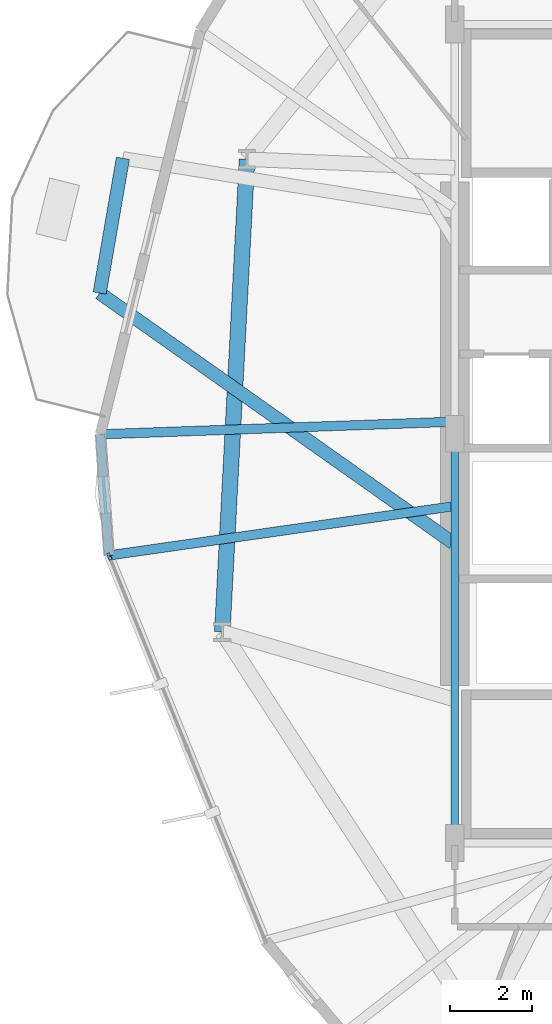
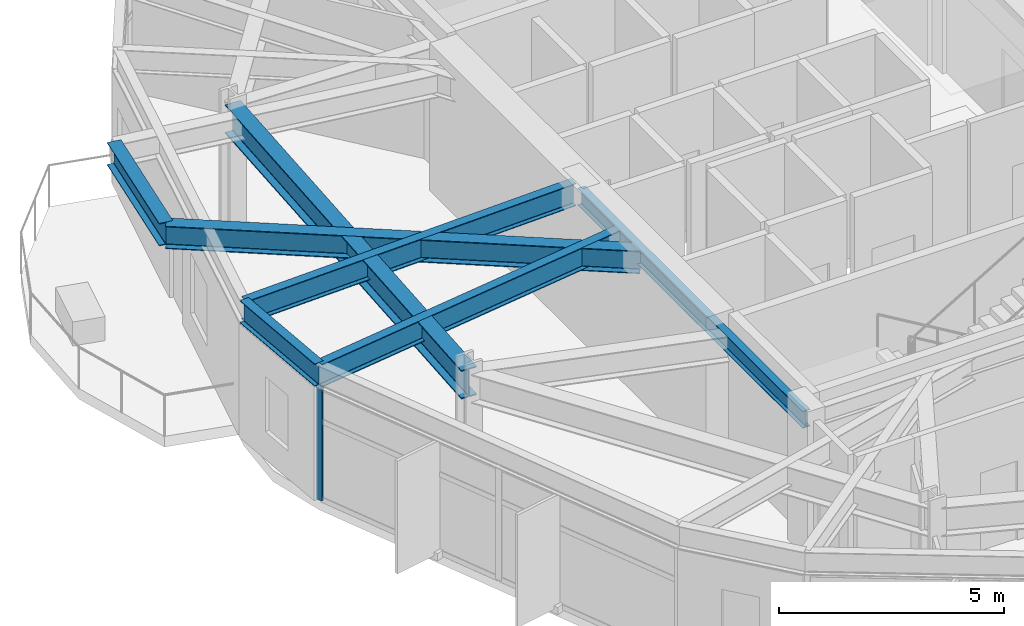
# One storey, part 7 of 22: 7 beams, 1 member, 1 element without a shape of its own.
"""IFC4 building model written with IfcOpenShell, lengths in metres."""

from ifc_helpers import new_model, si_unit, direction, frame, origin, origin_2d, place, context, subcontext, project, spatial, hollow_rectangle, i_section, extrude, material, layer, layer_set, material_profile, profile_set, type_object, element, aggregate, save


model = new_model("IFC4")

# Units and contexts
model_context = context("Model", 3, precision=1e-05, world=origin(), true_north=direction((0.0, 1.0)))
body_context = subcontext(model_context, "Body", "Model", "MODEL_VIEW")
ifc_project = project(units=[si_unit("LENGTHUNIT", "METRE"), si_unit("AREAUNIT", "SQUARE_METRE"), si_unit("VOLUMEUNIT", "CUBIC_METRE"), si_unit("PLANEANGLEUNIT", "RADIAN"), si_unit("MASSUNIT", "GRAM", prefix="KILO")], contexts=[model_context])

# Site, building, storey
site_placement = place(None, origin())
site = spatial("IfcSite", under=ifc_project, at=site_placement, CompositionType="ELEMENT")
building_placement = place(site_placement, origin())
building = spatial("IfcBuilding", under=site, at=building_placement, Name="Soratama Intermodal Tower", CompositionType="ELEMENT")
storey_placement = place(building_placement, frame((0.0, 0.0, 42.60009765625)))
storey = spatial("IfcBuildingStorey", under=building, at=storey_placement, Name="L09", CompositionType="ELEMENT", Elevation=42.60009765625)

# Beams
ifc_material_1 = material(Name="Structural steel ASTM A992 Grade 50", Category="steel")
ifc_material_profile_1 = material_profile(ifc_material_1, i_section(OverallWidth=0.324951171875, OverallDepth=0.615966796875, WebThickness=0.013916015625, FlangeThickness=0.021484375, FilletRadius=0.013916015625, at=origin_2d()), Name="W24X117")
ifc_profile_set_1 = profile_set([ifc_material_profile_1], Name="Structural steel ASTM A992 Grade 50")
beam_type_1 = type_object("IfcBeamType", Name="BM-CANT-W24X117", PredefinedType="BEAM", material=ifc_profile_set_1)
beam_1_placement = place(storey_placement, frame((24.489013671875, 31.73193359375, 3.391845703125), z_axis=(-0.169914252088, -0.985458850961, 0.0), x_axis=(0.985458850961, -0.169914252088, 0.0)))
element("IfcBeam", 1, at=beam_1_placement, inside=storey, type_object=beam_type_1, Name="BM-L09-CBHDR-3", PredefinedType="BEAM", context=body_context, shape_type="SweptSolid", body=[
    extrude(i_section(OverallWidth=0.324951171875, OverallDepth=0.615966796875, WebThickness=0.013916015625, FlangeThickness=0.021484375, FilletRadius=0.013916015625, at=origin_2d()), origin(), (0.0, 0.0, 1.0), 3.343505859375),
])
beam_2_placement = place(storey_placement, frame((32.56689453125, 22.323974609375, 3.391845703125), z_axis=(-0.816523530124, 0.577312155384, 0.0), x_axis=(-0.577312155384, -0.816523530124, 0.0)))
element("IfcBeam", 2, at=beam_2_placement, inside=storey, type_object=beam_type_1, Name="BM-L09-CANT-3-2", PredefinedType="BEAM", context=body_context, shape_type="SweptSolid", body=[
    extrude(i_section(OverallWidth=0.324951171875, OverallDepth=0.615966796875, WebThickness=0.013916015625, FlangeThickness=0.021484375, FilletRadius=0.013916015625, at=origin_2d()), origin(), (0.0, 0.0, 1.0), 10.5888671875),
])
ifc_material_2 = material(Name="Structural steel ASTM A992 Grade 50", Category="steel")
ifc_material_profile_2 = material_profile(ifc_material_2, i_section(OverallWidth=0.19091796875, OverallDepth=0.4599609375, WebThickness=0.010009765625, FlangeThickness=0.01611328125, FilletRadius=0.010986328125, at=origin_2d()), Name="W18X55")
ifc_profile_set_2 = profile_set([ifc_material_profile_2], Name="Structural steel ASTM A992 Grade 50")
beam_type_2 = type_object("IfcBeamType", Name="BM-FLR-W18X55", PredefinedType="BEAM", material=ifc_profile_set_2)
beam_3_placement = place(storey_placement, frame((32.60009765625, 25.0, 3.469970703125), z_axis=(0.0, -1.0, 0.0), x_axis=(1.0, 0.0, 0.0)))
element("IfcBeam", 3, at=beam_3_placement, inside=storey, type_object=beam_type_2, Name="BM-L09-CRING-09", PredefinedType="BEAM", context=body_context, shape_type="SweptSolid", body=[
    extrude(i_section(OverallWidth=0.19091796875, OverallDepth=0.4599609375, WebThickness=0.010009765625, FlangeThickness=0.01611328125, FilletRadius=0.010986328125, at=origin_2d()), origin(), (0.0, 0.0, 1.0), 10.0),
])
ifc_material_3 = material(Name="Structural steel ASTM A992 Grade 50", Category="steel")
ifc_material_profile_3 = material_profile(ifc_material_3, i_section(OverallWidth=0.382080078125, OverallDepth=0.779052734375, WebThickness=0.01806640625, FlangeThickness=0.030029296875, FilletRadius=0.01806640625, at=origin_2d()), Name="W30X191")
ifc_profile_set_3 = profile_set([ifc_material_profile_3], Name="Structural steel ASTM A992 Grade 50")
beam_type_3 = type_object("IfcBeamType", Name="BM-RING-W30X191", PredefinedType="BEAM", material=ifc_profile_set_3)
beam_4_placement = place(storey_placement, frame((27.52294921875, 31.708984375, 3.310302734375), z_axis=(-0.052289698717, -0.998631957935, 0.0), x_axis=(0.998631957935, -0.052289698717, 0.0)))
element("IfcBeam", 4, at=beam_4_placement, inside=storey, type_object=beam_type_3, Name="BM-L09-RING-05", PredefinedType="BEAM", context=body_context, shape_type="SweptSolid", body=[
    extrude(i_section(OverallWidth=0.382080078125, OverallDepth=0.779052734375, WebThickness=0.01806640625, FlangeThickness=0.030029296875, FilletRadius=0.01806640625, at=origin_2d()), origin(), (0.0, 0.0, 1.0), 11.56982421875),
])
ifc_material_4 = material(Name="Structural steel ASTM A992 Grade 50", Category="steel")
ifc_material_profile_4 = material_profile(ifc_material_4, i_section(OverallWidth=0.22900390625, OverallDepth=0.612060546875, WebThickness=0.011962890625, FlangeThickness=0.01953125, FilletRadius=0.012939453125, at=origin_2d()), Name="W24X84")
ifc_profile_set_4 = profile_set([ifc_material_profile_4], Name="Structural steel ASTM A992 Grade 50")
beam_type_4 = type_object("IfcBeamType", Name="BM-SPN-W24X84", PredefinedType="SPANDREL", material=ifc_profile_set_4)
beam_5_placement = place(storey_placement, frame((23.93505859375, 24.985107421875, 3.393798828125), z_axis=(0.071077506589, -0.997470795591, 0.0), x_axis=(0.997470795591, 0.071077506589, 0.0)))
element("IfcBeam", 5, at=beam_5_placement, inside=storey, type_object=beam_type_4, Name="BS-L09-CRN05", PredefinedType="SPANDREL", context=body_context, shape_type="SweptSolid", body=[
    extrude(i_section(OverallWidth=0.22900390625, OverallDepth=0.612060546875, WebThickness=0.011962890625, FlangeThickness=0.01953125, FilletRadius=0.012939453125, at=origin_2d()), origin(), (0.0, 0.0, 1.0), 2.9677734375),
])
ifc_material_5 = material(Name="Structural steel ASTM A992 Grade 50", Category="steel")
ifc_material_profile_5 = material_profile(ifc_material_5, i_section(OverallWidth=0.22900390625, OverallDepth=0.612060546875, WebThickness=0.011962890625, FlangeThickness=0.01953125, FilletRadius=0.012939453125, at=origin_2d()), Name="W24X84")
ifc_profile_set_5 = profile_set([ifc_material_profile_5], Name="Structural steel ASTM A992 Grade 50")
beam_type_5 = type_object("IfcBeamType", Name="BM-TIE-W24X84", PredefinedType="BEAM", material=ifc_profile_set_5)
beam_6_placement = place(storey_placement, frame((32.56005859375, 25.2919921875, 3.393798828125), z_axis=(-0.999367602224, -0.035558341146, 0.0), x_axis=(0.035558341146, -0.999367602224, 0.0)))
element("IfcBeam", 6, at=beam_6_placement, inside=storey, type_object=beam_type_5, Name="BM-L09-TIE1-05", PredefinedType="BEAM", context=body_context, shape_type="SweptSolid", body=[
    extrude(i_section(OverallWidth=0.22900390625, OverallDepth=0.612060546875, WebThickness=0.011962890625, FlangeThickness=0.01953125, FilletRadius=0.012939453125, at=origin_2d()), origin(), (0.0, 0.0, 1.0), 8.63037109375),
])
beam_7_placement = place(storey_placement, frame((32.56005859375, 23.22607421875, 3.393798828125), z_axis=(-0.989963276746, -0.14132484104, 0.0), x_axis=(0.14132484104, -0.989963276746, 0.0)))
element("IfcBeam", 7, at=beam_7_placement, inside=storey, type_object=beam_type_5, Name="BM-L09-TIE0-06", PredefinedType="BEAM", context=body_context, shape_type="SweptSolid", body=[
    extrude(i_section(OverallWidth=0.22900390625, OverallDepth=0.612060546875, WebThickness=0.011962890625, FlangeThickness=0.01953125, FilletRadius=0.012939453125, at=origin_2d()), origin(), (0.0, 0.0, 1.0), 8.499267578125),
])

# Curtain wall, member
ifc_material_6 = material(Name="Double-glazed aluminium curtain wall", Category="aluminium")
ifc_layer = layer(ifc_material_6, 0.159912109375)
ifc_layer_set = layer_set([ifc_layer], Name="Double-glazed aluminium curtain wall")
curtain_wall_type = type_object("IfcCurtainWallType", Name="CW-SYS-2", PredefinedType="NOTDEFINED", material=ifc_layer_set)
curtain_wall_placement = place(storey_placement, origin())
curtain_wall = element("IfcCurtainWall", 8, at=curtain_wall_placement, inside=storey, type_object=curtain_wall_type, Name="L09 Faceted Curtain Wall F06", PredefinedType="NOTDEFINED")
ifc_material_7 = material(Name="Anodised aluminium AA 6063-T6", Category="aluminium")
ifc_material_profile_6 = material_profile(ifc_material_7, hollow_rectangle(XDim=0.074951171875, YDim=0.179931640625, WallThickness=0.006103515625, InnerFilletRadius=0.006103515625, OuterFilletRadius=0.011962890625, at=origin_2d()), Name="CWM180X75X6")
ifc_profile_set_6 = profile_set([ifc_material_profile_6], Name="Anodised aluminium AA 6063-T6")
member_type = type_object("IfcMemberType", Name="MT-CWM-2", PredefinedType="MULLION", material=ifc_profile_set_6)
member_placement = place(storey_placement, frame((24.1572265625, 21.99755859375, 0.0), z_axis=(0.0, 0.0, 1.0), x_axis=(0.926656948494, 0.375908100215, 0.0)))
member = element("IfcMember", 9, at=member_placement, type_object=member_type, Name="CW-2 mullion 1", PredefinedType="MULLION", context=body_context, shape_type="SweptSolid", body=[
    extrude(hollow_rectangle(XDim=0.074951171875, YDim=0.179931640625, WallThickness=0.006103515625, InnerFilletRadius=0.006103515625, OuterFilletRadius=0.011962890625, at=origin_2d()), origin(), (0.0, 0.0, 1.0), 3.078857421875),
])
aggregate(curtain_wall, [member])

save(model, "model.ifc")
